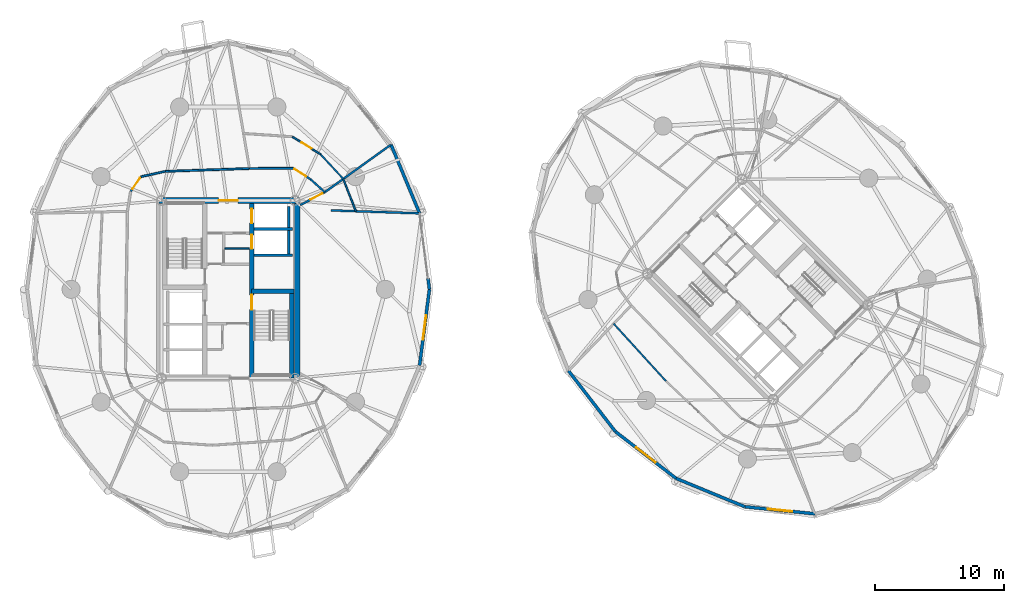
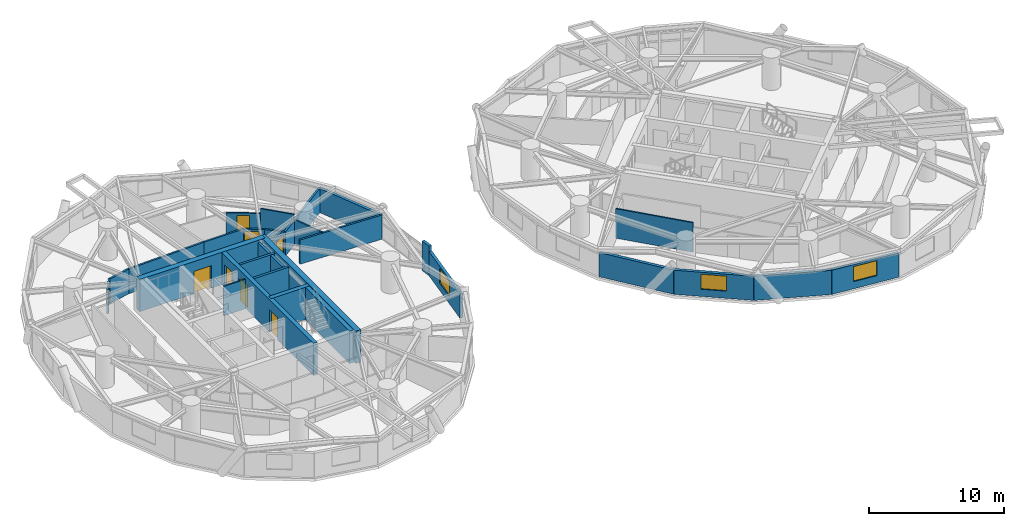
# One storey, part 11 of 17: 30 walls, 8 doors, 3 windows, 11 openings.
"""IFC4 building model written with IfcOpenShell, lengths in metres."""

from ifc_helpers import new_model, si_unit, direction, frame, frame_2d, origin, place, context, subcontext, project, spatial, rectangle, extrude, source, transform, mapped, material, layer, layer_set, type_object, element, fill, save


model = new_model("IFC4")

# Units and contexts
model_context = context("Model", 3, precision=1e-05, world=origin(), true_north=direction((0.0, 1.0)))
body_context = subcontext(model_context, "Body", "Model", "MODEL_VIEW")
ifc_project = project(units=[si_unit("LENGTHUNIT", "METRE"), si_unit("AREAUNIT", "SQUARE_METRE"), si_unit("VOLUMEUNIT", "CUBIC_METRE"), si_unit("PLANEANGLEUNIT", "RADIAN"), si_unit("MASSUNIT", "GRAM", prefix="KILO")], contexts=[model_context])

# Site, building, storey
site_placement = place(None, origin())
site = spatial("IfcSite", under=ifc_project, at=site_placement, CompositionType="ELEMENT")
building_placement = place(site_placement, origin())
building = spatial("IfcBuilding", under=site, at=building_placement, Name="Cununo Teusaquillo Station Towers", CompositionType="ELEMENT")
storey_placement = place(building_placement, frame((0.0, 0.0, 107.97998046875)))
storey = spatial("IfcBuildingStorey", under=building, at=storey_placement, Name="L34", CompositionType="ELEMENT", Elevation=107.97998046875)

# Walls
ifc_material_1 = material(Name="Concrete C50/60", Category="concrete")
ifc_layer_1 = layer(ifc_material_1, 0.199951171875)
ifc_layer_set_1 = layer_set([ifc_layer_1], Name="Concrete C50/60")
wall_type_1 = type_object("IfcWallType", Name="WL-CORE-200", PredefinedType="SHEAR", material=ifc_layer_set_1)
for number, where, z_axis, x_axis, name in (
    (1, (18.510009765625, 27.1298828125, 0.0), (0.0, 0.0, 1.0), (1.0, 0.0, 0.0), "L34 Tower A Low-Rise Lift Hoistway South Shear Wall"),
    (2, (18.510009765625, 29.175048828125, 0.0), (0.0, 0.0, 1.0), (1.0, 0.0, 0.0), "L34 Tower A Low-Rise Lift Hoistway Divider Shear Wall"),
):
    element("IfcWall", number, at=place(storey_placement, frame(where, z_axis=z_axis, x_axis=x_axis)), inside=storey, type_object=wall_type_1, Name=name, PredefinedType="SHEAR", context=body_context, shape_type="SweptSolid", body=[
        extrude(rectangle(XDim=2.969970703125, YDim=0.199951171875, at=frame_2d((1.48486328125, 0.0))), origin(), (0.0, 0.0, 1.0), 2.909912109375),
    ])
wall_1_placement = place(storey_placement, frame((21.179931640625, 27.25, 0.0), z_axis=(0.0, 0.0, 1.0), x_axis=(0.0, 1.0, 0.0)))
element("IfcWall", 3, at=wall_1_placement, inside=storey, type_object=wall_type_1, Name="L34 Tower A Low-Rise Lift 1 Shaft Rear Shear Wall", PredefinedType="SHEAR", context=body_context, shape_type="SweptSolid", body=[
    extrude(rectangle(XDim=1.804931640625, YDim=0.199951171875, at=frame_2d((0.90234375, 0.0))), origin(), (0.0, 0.0, 1.0), 2.909912109375),
])
wall_2_placement = place(storey_placement, frame((21.179931640625, 29.294921875, 0.0), z_axis=(0.0, 0.0, 1.0), x_axis=(0.0, 1.0, 0.0)))
element("IfcWall", 4, at=wall_2_placement, inside=storey, type_object=wall_type_1, Name="L34 Tower A Low-Rise Lift 2 Shaft Rear Shear Wall", PredefinedType="SHEAR", context=body_context, shape_type="SweptSolid", body=[
    extrude(rectangle(XDim=1.635009765625, YDim=0.199951171875, at=frame_2d((0.8173828125, 0.0))), origin(), (0.0, 0.0, 1.0), 2.909912109375),
])

# Wall, openings, doors
ifc_material_2 = material(Name="Concrete C50/60", Category="concrete")
ifc_layer_2 = layer(ifc_material_2, 0.35009765625)
ifc_layer_set_2 = layer_set([ifc_layer_2], Name="Concrete C50/60")
wall_type_2 = type_object("IfcWallType", Name="WL-CORE-350", PredefinedType="SHEAR", material=ifc_layer_set_2)
wall_3_placement = place(storey_placement, frame((18.31494140625, 17.625, 0.0), z_axis=(0.0, 0.0, 1.0), x_axis=(0.0, 1.0, 0.0)))
wall_3 = element("IfcWall", 5, at=wall_3_placement, inside=storey, type_object=wall_type_2, Name="L34 Tower A Core Shear Wall IE", PredefinedType="SHEAR", context=body_context, shape_type="SweptSolid", body=[
    extrude(rectangle(XDim=13.75, YDim=0.35009765625, at=frame_2d((6.875, 0.0))), origin(), (0.0, 0.0, 1.0), 2.909912109375),
])
shared_shape_1 = source(origin(), body_context, "Body", "SweptSolid", [
    extrude(rectangle(XDim=1.10009765625, YDim=2.014892578125, at=frame_2d((0.550048828125, 1.00732421875))), frame((0.0, 0.18505859375, 0.0), z_axis=(0.0, -1.0, 0.0), x_axis=(1.0, 0.0, 0.0)), (0.0, 0.0, 1.0), 0.3701171875),
])
opening_1_placement = place(wall_3_placement, frame((10.0, 0.0, 0.0)))
opening_1 = element("IfcOpeningElement", 6, at=opening_1_placement, cuts=wall_3, Name="Opening LD-01", PredefinedType="OPENING", context=body_context, shape_type="MappedRepresentation", body=[
    mapped(shared_shape_1, transform((0.0, 0.0, 0.0), x_axis=(1.0, 0.0, 0.0), y_axis=(0.0, 1.0, 0.0), z_axis=(0.0, 0.0, 1.0), scale=1.0)),
])
opening_2_placement = place(wall_3_placement, frame((12.0, 0.0, 0.0)))
opening_2 = element("IfcOpeningElement", 7, at=opening_2_placement, cuts=wall_3, Name="Opening LD-01", PredefinedType="OPENING", context=body_context, shape_type="MappedRepresentation", body=[
    mapped(shared_shape_1, transform((0.0, 0.0, 0.0), x_axis=(1.0, 0.0, 0.0), y_axis=(0.0, 1.0, 0.0), z_axis=(0.0, 0.0, 1.0), scale=1.0)),
])
shared_shape_2 = source(origin(), body_context, "Body", "SweptSolid", [
    extrude(rectangle(XDim=1.14990234375, YDim=2.02001953125, at=frame_2d((0.574951171875, 1.010009765625))), frame((0.0, 0.18505859375, 0.0), z_axis=(0.0, -1.0, 0.0), x_axis=(1.0, 0.0, 0.0)), (0.0, 0.0, 1.0), 0.3701171875),
])
opening_3_placement = place(wall_3_placement, frame((5.304931640625, 0.0, 0.0)))
opening_3 = element("IfcOpeningElement", 8, at=opening_3_placement, cuts=wall_3, Name="Opening D-ST1", PredefinedType="OPENING", context=body_context, shape_type="MappedRepresentation", body=[
    mapped(shared_shape_2, transform((0.0, 0.0, 0.0), x_axis=(1.0, 0.0, 0.0), y_axis=(0.0, 1.0, 0.0), z_axis=(0.0, 0.0, 1.0), scale=1.0)),
])
ifc_material_3 = material(Name="Galvanised fire-rated hollow steel door assembly", Category="steel")
door_type_1 = type_object("IfcDoorType", Name="DR-LIFT-1100", OperationType="SLIDING_TO_LEFT", PredefinedType="DOOR", material=ifc_material_3)
shared_shape_3 = source(origin(), body_context, "Body", "SweptSolid", [
    extrude(rectangle(XDim=1.10009765625, YDim=2.014892578125, at=frame_2d((0.550048828125, 1.00732421875))), frame((0.0, 0.02490234375, 0.0), z_axis=(0.0, -1.0, 0.0), x_axis=(1.0, 0.0, 0.0)), (0.0, 0.0, 1.0), 0.050048828125),
])
door_1_placement = place(opening_1_placement, origin())
door_1 = element("IfcDoor", 9, at=door_1_placement, inside=storey, type_object=door_type_1, Name="L34 Lift PL-T1-L1 Sliding Landing Door", OperationType="SLIDING_TO_LEFT", OverallHeight=2.014892578125, OverallWidth=1.10009765625, PredefinedType="DOOR", context=body_context, shape_type="MappedRepresentation", body=[
    mapped(shared_shape_3, transform((0.0, 0.0, 0.0), x_axis=(1.0, 0.0, 0.0), y_axis=(0.0, 1.0, 0.0), z_axis=(0.0, 0.0, 1.0), scale=1.0)),
])
fill(opening_1, door_1)
door_2_placement = place(opening_2_placement, origin())
door_2 = element("IfcDoor", 10, at=door_2_placement, inside=storey, type_object=door_type_1, Name="L34 Lift PL-T1-L2 Sliding Landing Door", OperationType="SLIDING_TO_RIGHT", OverallHeight=2.014892578125, OverallWidth=1.10009765625, PredefinedType="DOOR", context=body_context, shape_type="MappedRepresentation", body=[
    mapped(shared_shape_3, transform((0.0, 0.0, 0.0), x_axis=(1.0, 0.0, 0.0), y_axis=(0.0, 1.0, 0.0), z_axis=(0.0, 0.0, 1.0), scale=1.0)),
])
fill(opening_2, door_2)
ifc_material_4 = material(Name="Galvanised fire-rated hollow steel door assembly", Category="steel")
door_type_2 = type_object("IfcDoorType", Name="DR-STAIR-1150", OperationType="NOTDEFINED", PredefinedType="DOOR", material=ifc_material_4)
shared_shape_4 = source(origin(), body_context, "Body", "SweptSolid", [
    extrude(rectangle(XDim=1.14990234375, YDim=2.02001953125, at=frame_2d((0.574951171875, 1.010009765625))), frame((0.0, 0.02490234375, 0.0), z_axis=(0.0, -1.0, 0.0), x_axis=(1.0, 0.0, 0.0)), (0.0, 0.0, 1.0), 0.050048828125),
])
door_3_placement = place(opening_3_placement, origin())
door_3 = element("IfcDoor", 11, at=door_3_placement, inside=storey, type_object=door_type_2, Name="L34 Tower A Exit Stair 2 Fire Door", OperationType="SINGLE_SWING_LEFT", OverallHeight=2.02001953125, OverallWidth=1.14990234375, PredefinedType="DOOR", context=body_context, shape_type="MappedRepresentation", body=[
    mapped(shared_shape_4, transform((0.0, 0.0, 0.0), x_axis=(1.0, 0.0, 0.0), y_axis=(0.0, 1.0, 0.0), z_axis=(0.0, 0.0, 1.0), scale=1.0)),
])
fill(opening_3, door_3)

# Walls
wall_4_placement = place(storey_placement, frame((21.405029296875, 17.625, 0.0), z_axis=(0.0, 0.0, 1.0), x_axis=(0.0, 1.0, 0.0)))
element("IfcWall", 12, at=wall_4_placement, inside=storey, type_object=wall_type_2, Name="L34 Tower A Core Shear Wall ST2E", PredefinedType="SHEAR", context=body_context, shape_type="SweptSolid", body=[
    extrude(rectangle(XDim=6.719970703125, YDim=0.35009765625, at=frame_2d((3.35986328125, 0.0))), origin(), (0.0, 0.0, 1.0), 2.909912109375),
])
wall_5_placement = place(storey_placement, frame((18.31494140625, 24.344970703125, 0.0), z_axis=(0.0, 0.0, 1.0), x_axis=(1.0, 0.0, 0.0)))
element("IfcWall", 13, at=wall_5_placement, inside=storey, type_object=wall_type_2, Name="L34 Tower A Core Shear Wall ST2N", PredefinedType="SHEAR", context=body_context, shape_type="SweptSolid", body=[
    extrude(rectangle(XDim=3.28515625, YDim=0.35009765625, at=frame_2d((1.642578125, 0.0))), origin(), (0.0, 0.0, 1.0), 2.909912109375),
])
ifc_material_5 = material(Name="Concrete C60/75", Category="concrete")
ifc_layer_3 = layer(ifc_material_5, 0.449951171875)
ifc_layer_set_3 = layer_set([ifc_layer_3], Name="Concrete C60/75")
wall_type_3 = type_object("IfcWallType", Name="WL-CORE-450", PredefinedType="SHEAR", material=ifc_layer_set_3)
wall_6_placement = place(storey_placement, frame((21.85009765625, 17.39990234375, 0.0), z_axis=(0.0, 0.0, 1.0), x_axis=(0.0, 1.0, 0.0)))
element("IfcWall", 14, at=wall_6_placement, inside=storey, type_object=wall_type_3, Name="L34 Tower A Core Shear Wall E", PredefinedType="SHEAR", context=body_context, shape_type="SweptSolid", body=[
    extrude(rectangle(XDim=14.2001953125, YDim=0.449951171875, at=frame_2d((7.10009765625, 0.0))), origin(), (0.0, 0.0, 1.0), 2.909912109375),
])

# Wall, opening, door
wall_7_placement = place(storey_placement, frame((11.14990234375, 31.375, 0.0), z_axis=(0.0, 0.0, 1.0), x_axis=(1.0, 0.0, 0.0)))
wall_7 = element("IfcWall", 15, at=wall_7_placement, inside=storey, type_object=wall_type_3, Name="L34 Tower A Core Shear Wall N", PredefinedType="SHEAR", context=body_context, shape_type="SweptSolid", body=[
    extrude(rectangle(XDim=10.7001953125, YDim=0.449951171875, at=frame_2d((5.35009765625, 0.0))), origin(), (0.0, 0.0, 1.0), 2.909912109375),
])
shared_shape_5 = source(origin(), body_context, "Body", "SweptSolid", [
    extrude(rectangle(XDim=1.5, YDim=2.02001953125, at=frame_2d((0.75, 1.010009765625))), frame((0.0, 0.23486328125, 0.0), z_axis=(0.0, -1.0, 0.0), x_axis=(1.0, 0.0, 0.0)), (0.0, 0.0, 1.0), 0.469970703125),
])
opening_4_placement = place(wall_7_placement, frame((4.60009765625, 0.0, 0.0)))
opening_4 = element("IfcOpeningElement", 16, at=opening_4_placement, cuts=wall_7, Name="Opening D-LB1", PredefinedType="OPENING", context=body_context, shape_type="MappedRepresentation", body=[
    mapped(shared_shape_5, transform((0.0, 0.0, 0.0), x_axis=(1.0, 0.0, 0.0), y_axis=(0.0, 1.0, 0.0), z_axis=(0.0, 0.0, 1.0), scale=1.0)),
])
ifc_material_6 = material(Name="Galvanised fire-rated hollow steel door assembly", Category="steel")
door_type_3 = type_object("IfcDoorType", Name="DR-LOBBY-1500", OperationType="DOUBLE_DOOR_SINGLE_SWING", PredefinedType="DOOR", material=ifc_material_6)
shared_shape_6 = source(origin(), body_context, "Body", "SweptSolid", [
    extrude(rectangle(XDim=1.5, YDim=2.02001953125, at=frame_2d((0.75, 1.010009765625))), frame((0.0, 0.02490234375, 0.0), z_axis=(0.0, -1.0, 0.0), x_axis=(1.0, 0.0, 0.0)), (0.0, 0.0, 1.0), 0.050048828125),
])
door_4_placement = place(opening_4_placement, origin())
door_4 = element("IfcDoor", 17, at=door_4_placement, inside=storey, type_object=door_type_3, Name="L34 Tower A North Core Lift Lobby Door", OperationType="DOUBLE_DOOR_SINGLE_SWING", OverallHeight=2.02001953125, OverallWidth=1.5, PredefinedType="DOOR", context=body_context, shape_type="MappedRepresentation", body=[
    mapped(shared_shape_6, transform((0.0, 0.0, 0.0), x_axis=(1.0, 0.0, 0.0), y_axis=(0.0, 1.0, 0.0), z_axis=(0.0, 0.0, 1.0), scale=1.0)),
])
fill(opening_4, door_4)

# Walls
ifc_material_7 = material(Name="Precast concrete C40/50", Category="concrete")
ifc_layer_4 = layer(ifc_material_7, 0.239990234375)
ifc_layer_set_4 = layer_set([ifc_layer_4], Name="Precast concrete C40/50")
wall_type_4 = type_object("IfcWallType", Name="WL-EXT-240", PredefinedType="SOLIDWALL", material=ifc_layer_set_4)
wall_8_placement = place(storey_placement, frame((31.96923828125, 25.36279296875, 0.0), z_axis=(0.0, 0.0, 1.0), x_axis=(0.128523364007, -0.991706481225, 0.0)))
element("IfcWall", 18, at=wall_8_placement, inside=storey, type_object=wall_type_4, Name="L34 Tower A Column Pier Cladding Wall C00-PB", PredefinedType="SOLIDWALL", context=body_context, shape_type="SweptSolid", body=[
    extrude(rectangle(XDim=0.8701171875, YDim=0.239990234375, at=frame_2d((0.43505859375, 0.0))), origin(), (0.0, 0.0, 1.0), 2.655029296875),
])
wall_9_placement = place(storey_placement, frame((29.105224609375, 35.708984375, 0.0), z_axis=(0.0, 0.0, 1.0), x_axis=(0.384344417632, -0.923189779317, 0.0)))
element("IfcWall", 19, at=wall_9_placement, inside=storey, type_object=wall_type_4, Name="L34 Tower A Exterior Facade Wall C01", PredefinedType="SOLIDWALL", context=body_context, shape_type="SweptSolid", body=[
    extrude(rectangle(XDim=5.75830078125, YDim=0.239990234375, at=frame_2d((2.879150390625, 0.0))), origin(), (0.0, 0.0, 1.0), 2.178955078125),
])

# Wall, opening, window
wall_10_placement = place(storey_placement, frame((32.0810546875, 24.5, 0.0), z_axis=(0.0, 0.0, 1.0), x_axis=(-0.128351991996, -0.991728675672, 0.0)))
wall_10 = element("IfcWall", 20, at=wall_10_placement, inside=storey, type_object=wall_type_4, Name="L34 Tower A Exterior Facade Wall C19", PredefinedType="SOLIDWALL", context=body_context, shape_type="SweptSolid", body=[
    extrude(rectangle(XDim=5.942138671875, YDim=0.239990234375, at=frame_2d((2.97119140625, 0.0))), origin(), (0.0, 0.0, 1.0), 2.178955078125),
])
shared_shape_7 = source(origin(), body_context, "Body", "SweptSolid", [
    extrude(rectangle(XDim=1.89990234375, YDim=1.35009765625, at=frame_2d((0.949951171875, 0.675048828125))), frame((0.0, 0.1298828125, 0.0), z_axis=(0.0, -1.0, 0.0), x_axis=(1.0, 0.0, 0.0)), (0.0, 0.0, 1.0), 0.260009765625),
])
opening_5_placement = place(wall_10_placement, frame((2.02099609375, 0.0, 0.64990234375)))
opening_5 = element("IfcOpeningElement", 21, at=opening_5_placement, cuts=wall_10, Name="Opening WN-02", PredefinedType="OPENING", context=body_context, shape_type="MappedRepresentation", body=[
    mapped(shared_shape_7, transform((0.0, 0.0, 0.0), x_axis=(1.0, 0.0, 0.0), y_axis=(0.0, 1.0, 0.0), z_axis=(0.0, 0.0, 1.0), scale=1.0)),
])
ifc_material_8 = material(Name="Operable acoustic tinted low-E double glazing", Category="glass")
window_type = type_object("IfcWindowType", Name="WIN-OPER-1900", PartitioningType="DOUBLE_PANEL_VERTICAL", PredefinedType="WINDOW", material=ifc_material_8)
shared_shape_8 = source(origin(), body_context, "Body", "SweptSolid", [
    extrude(rectangle(XDim=1.89990234375, YDim=1.35009765625, at=frame_2d((0.949951171875, 0.675048828125))), frame((0.0, 0.030029296875, 0.0), z_axis=(0.0, -1.0, 0.0), x_axis=(1.0, 0.0, 0.0)), (0.0, 0.0, 1.0), 0.06005859375),
])
window_1_placement = place(opening_5_placement, origin())
window_1 = element("IfcWindow", 22, at=window_1_placement, inside=storey, type_object=window_type, Name="L34 Tower A Facade Window C19", OverallHeight=1.35009765625, OverallWidth=1.89990234375, PartitioningType="DOUBLE_PANEL_VERTICAL", PredefinedType="WINDOW", context=body_context, shape_type="MappedRepresentation", body=[
    mapped(shared_shape_8, transform((0.0, 0.0, 0.0), x_axis=(1.0, 0.0, 0.0), y_axis=(0.0, 1.0, 0.0), z_axis=(0.0, 0.0, 1.0), scale=1.0)),
])
fill(opening_5, window_1)

# Wall
wall_11_placement = place(storey_placement, frame((46.482666015625, 13.482666015625, 0.0), z_axis=(0.0, 0.0, 1.0), x_axis=(-0.61054437102, 0.791982052206, 0.0)))
element("IfcWall", 23, at=wall_11_placement, inside=storey, type_object=wall_type_4, Name="L34 Tower B Exterior Facade Wall C09", PredefinedType="SOLIDWALL", context=body_context, shape_type="SweptSolid", body=[
    extrude(rectangle(XDim=5.942138671875, YDim=0.239990234375, at=frame_2d((2.97119140625, 0.0))), origin(), (0.0, 0.0, 1.0), 2.178955078125),
])

# Wall, opening, window
wall_12_placement = place(storey_placement, frame((51.188720703125, 9.854736328125, 0.0), z_axis=(0.0, 0.0, 1.0), x_axis=(-0.791982052206, 0.61054437102, 0.0)))
wall_12 = element("IfcWall", 24, at=wall_12_placement, inside=storey, type_object=wall_type_4, Name="L34 Tower B Exterior Facade Wall C10", PredefinedType="SOLIDWALL", context=body_context, shape_type="SweptSolid", body=[
    extrude(rectangle(XDim=5.942138671875, YDim=0.239990234375, at=frame_2d((2.97119140625, 0.0))), origin(), (0.0, 0.0, 1.0), 2.178955078125),
])
opening_6_placement = place(wall_12_placement, frame((2.02099609375, 0.0, 0.64990234375)))
opening_6 = element("IfcOpeningElement", 25, at=opening_6_placement, cuts=wall_12, Name="Opening WN-02", PredefinedType="OPENING", context=body_context, shape_type="MappedRepresentation", body=[
    mapped(shared_shape_7, transform((0.0, 0.0, 0.0), x_axis=(1.0, 0.0, 0.0), y_axis=(0.0, 1.0, 0.0), z_axis=(0.0, 0.0, 1.0), scale=1.0)),
])
window_2_placement = place(opening_6_placement, origin())
window_2 = element("IfcWindow", 26, at=window_2_placement, inside=storey, type_object=window_type, Name="L34 Tower B Facade Window C10", OverallHeight=1.35009765625, OverallWidth=1.89990234375, PartitioningType="DOUBLE_PANEL_VERTICAL", PredefinedType="WINDOW", context=body_context, shape_type="MappedRepresentation", body=[
    mapped(shared_shape_8, transform((0.0, 0.0, 0.0), x_axis=(1.0, 0.0, 0.0), y_axis=(0.0, 1.0, 0.0), z_axis=(0.0, 0.0, 1.0), scale=1.0)),
])
fill(opening_6, window_2)

# Wall
wall_13_placement = place(storey_placement, frame((56.5126953125, 7.66064453125, 0.0), z_axis=(0.0, 0.0, 1.0), x_axis=(-0.924563909604, 0.381027003055, 0.0)))
element("IfcWall", 27, at=wall_13_placement, inside=storey, type_object=wall_type_4, Name="L34 Tower B Exterior Facade Wall C11", PredefinedType="SOLIDWALL", context=body_context, shape_type="SweptSolid", body=[
    extrude(rectangle(XDim=5.75830078125, YDim=0.239990234375, at=frame_2d((2.879150390625, 0.0))), origin(), (0.0, 0.0, 1.0), 2.178955078125),
])

# Wall, opening, window
wall_14_placement = place(storey_placement, frame((61.933349609375, 7.114990234375, 0.0), z_axis=(0.0, 0.0, 1.0), x_axis=(-0.994971754311, 0.10015591906, 0.0)))
wall_14 = element("IfcWall", 28, at=wall_14_placement, inside=storey, type_object=wall_type_4, Name="L34 Tower B Exterior Facade Wall C12", PredefinedType="SOLIDWALL", context=body_context, shape_type="SweptSolid", body=[
    extrude(rectangle(XDim=5.447998046875, YDim=0.239990234375, at=frame_2d((2.72412109375, 0.0))), origin(), (0.0, 0.0, 1.0), 2.178955078125),
])
opening_7_placement = place(wall_14_placement, frame((1.77392578125, 0.0, 0.64990234375)))
opening_7 = element("IfcOpeningElement", 29, at=opening_7_placement, cuts=wall_14, Name="Opening WN-02", PredefinedType="OPENING", context=body_context, shape_type="MappedRepresentation", body=[
    mapped(shared_shape_7, transform((0.0, 0.0, 0.0), x_axis=(1.0, 0.0, 0.0), y_axis=(0.0, 1.0, 0.0), z_axis=(0.0, 0.0, 1.0), scale=1.0)),
])
window_3_placement = place(opening_7_placement, origin())
window_3 = element("IfcWindow", 30, at=window_3_placement, inside=storey, type_object=window_type, Name="L34 Tower B Facade Window C12", OverallHeight=1.35009765625, OverallWidth=1.89990234375, PartitioningType="DOUBLE_PANEL_VERTICAL", PredefinedType="WINDOW", context=body_context, shape_type="MappedRepresentation", body=[
    mapped(shared_shape_8, transform((0.0, 0.0, 0.0), x_axis=(1.0, 0.0, 0.0), y_axis=(0.0, 1.0, 0.0), z_axis=(0.0, 0.0, 1.0), scale=1.0)),
])
fill(opening_7, window_3)

# Walls
ifc_material_9 = material(Name="Fire-rated gypsum plasterboard partition assembly", Category="gypsum")
ifc_layer_5 = layer(ifc_material_9, 0.125)
ifc_layer_set_5 = layer_set([ifc_layer_5], Name="Fire-rated gypsum plasterboard partition assembly")
wall_type_5 = type_object("IfcWallType", Name="WL-PART-125", PredefinedType="PARTITIONING", material=ifc_layer_set_5)
wall_15_placement = place(storey_placement, frame((16.239990234375, 27.64990234375, 0.0), z_axis=(0.0, 0.0, 1.0), x_axis=(1.0, 0.0, 0.0)))
element("IfcWall", 31, at=wall_15_placement, inside=storey, type_object=wall_type_5, Name="L34 Tower A Core Horizontal Split Wall", PredefinedType="PARTITIONING", context=body_context, shape_type="SweptSolid", body=[
    extrude(rectangle(XDim=1.880126953125, YDim=0.125, at=frame_2d((0.93994140625, 0.0))), origin(), (0.0, 0.0, 1.0), 2.655029296875),
])
wall_16_placement = place(storey_placement, frame((26.381591796875, 30.550537109375, 0.0), z_axis=(0.0, 0.0, 1.0), x_axis=(-0.361621391028, 0.932325034283, 0.0)))
element("IfcWall", 32, at=wall_16_placement, inside=storey, type_object=wall_type_5, Name="L34 Tower A Consular Reception Salon Concentric Partition Wall C01", PredefinedType="PARTITIONING", context=body_context, shape_type="SweptSolid", body=[
    extrude(rectangle(XDim=2.685546875, YDim=0.125, at=frame_2d((1.3427734375, 0.0))), origin(), (0.0, 0.0, 1.0), 2.22509765625),
])
wall_17_placement = place(storey_placement, frame((25.410400390625, 33.054443359375, 0.0), z_axis=(0.0, 0.0, 1.0), x_axis=(-0.679733694606, 0.73345899982, 0.0)))
element("IfcWall", 33, at=wall_17_placement, inside=storey, type_object=wall_type_5, Name="L34 Tower A Consular Reception Salon Concentric Partition Wall C02", PredefinedType="PARTITIONING", context=body_context, shape_type="SweptSolid", body=[
    extrude(rectangle(XDim=2.585693359375, YDim=0.125, at=frame_2d((1.29296875, 0.0))), origin(), (0.0, 0.0, 1.0), 2.655029296875),
])

# Wall, opening, door
wall_18_placement = place(storey_placement, frame((23.65283203125, 34.950927734375, 0.0), z_axis=(0.0, 0.0, 1.0), x_axis=(-0.847306782665, 0.531103771452, 0.0)))
wall_18 = element("IfcWall", 34, at=wall_18_placement, inside=storey, type_object=wall_type_5, Name="L34 Tower A Consular Reception Salon Concentric Partition Wall C03", PredefinedType="PARTITIONING", context=body_context, shape_type="SweptSolid", body=[
    extrude(rectangle(XDim=2.5810546875, YDim=0.125, at=frame_2d((1.29052734375, 0.0))), origin(), (0.0, 0.0, 1.0), 2.22509765625),
])
shared_shape_9 = source(origin(), body_context, "Body", "SweptSolid", [
    extrude(rectangle(XDim=0.89990234375, YDim=2.0048828125, at=frame_2d((0.449951171875, 1.00244140625))), frame((0.0, 0.072509765625, 0.0), z_axis=(0.0, -1.0, 0.0), x_axis=(1.0, 0.0, 0.0)), (0.0, 0.0, 1.0), 0.14501953125),
])
opening_8_placement = place(wall_18_placement, frame((0.840576171875, 0.0, 0.0)))
opening_8 = element("IfcOpeningElement", 35, at=opening_8_placement, cuts=wall_18, Name="Opening D-IN1", PredefinedType="OPENING", context=body_context, shape_type="MappedRepresentation", body=[
    mapped(shared_shape_9, transform((0.0, 0.0, 0.0), x_axis=(1.0, 0.0, 0.0), y_axis=(0.0, 1.0, 0.0), z_axis=(0.0, 0.0, 1.0), scale=1.0)),
])
ifc_material_10 = material(Name="Acoustic solid-core hardwood leaf assembly", Category="wood")
door_type_4 = type_object("IfcDoorType", Name="DR-INT-900", OperationType="NOTDEFINED", PredefinedType="DOOR", material=ifc_material_10)
shared_shape_10 = source(origin(), body_context, "Body", "SweptSolid", [
    extrude(rectangle(XDim=0.89990234375, YDim=2.0048828125, at=frame_2d((0.449951171875, 1.00244140625))), frame((0.0, 0.02490234375, 0.0), z_axis=(0.0, -1.0, 0.0), x_axis=(1.0, 0.0, 0.0)), (0.0, 0.0, 1.0), 0.050048828125),
])
door_5_placement = place(opening_8_placement, origin())
door_5 = element("IfcDoor", 36, at=door_5_placement, inside=storey, type_object=door_type_4, Name="L34 Tower A Consular Reception Salon Connecting Door", OperationType="SINGLE_SWING_RIGHT", OverallHeight=2.0048828125, OverallWidth=0.89990234375, PredefinedType="DOOR", context=body_context, shape_type="MappedRepresentation", body=[
    mapped(shared_shape_10, transform((0.0, 0.0, 0.0), x_axis=(1.0, 0.0, 0.0), y_axis=(0.0, 1.0, 0.0), z_axis=(0.0, 0.0, 1.0), scale=1.0)),
])
fill(opening_8, door_5)

# Walls
wall_19_placement = place(storey_placement, frame((46.352294921875, 21.837646484375, 0.0), z_axis=(0.0, 0.0, 1.0), x_axis=(0.673416949194, -0.739262884594, 0.0)))
element("IfcWall", 37, at=wall_19_placement, inside=storey, type_object=wall_type_5, Name="L34 Tower B Ambassadorial Executive Office Concentric Partition Wall C09", PredefinedType="PARTITIONING", context=body_context, shape_type="SweptSolid", body=[
    extrude(rectangle(XDim=6.006591796875, YDim=0.125, at=frame_2d((3.00341796875, 0.0))), origin(), (0.0, 0.0, 1.0), 2.655029296875),
])
ifc_material_11 = material(Name="Fire-rated gypsum plasterboard partition assembly", Category="gypsum")
ifc_layer_6 = layer(ifc_material_11, 0.14990234375)
ifc_layer_set_6 = layer_set([ifc_layer_6], Name="Fire-rated gypsum plasterboard partition assembly")
wall_type_6 = type_object("IfcWallType", Name="WL-PART-150", PredefinedType="PARTITIONING", material=ifc_layer_set_6)
wall_20_placement = place(storey_placement, frame((23.979736328125, 32.02685546875, 0.0), z_axis=(0.0, 0.0, 1.0), x_axis=(-0.742353224332, 0.670008724065, 0.0)))
element("IfcWall", 38, at=wall_20_placement, inside=storey, type_object=wall_type_6, Name="L34 Tower A Corridor Ring Wall C02", PredefinedType="PARTITIONING", context=body_context, shape_type="SweptSolid", body=[
    extrude(rectangle(XDim=1.48486328125, YDim=0.14990234375, at=frame_2d((0.742431640625, 0.0))), origin(), (0.0, 0.0, 1.0), 2.22509765625),
])

# Wall, opening, door
wall_21_placement = place(storey_placement, frame((22.87744140625, 33.021728515625, 0.0), z_axis=(0.0, 0.0, 1.0), x_axis=(-0.845895608855, 0.533348496689, 0.0)))
wall_21 = element("IfcWall", 39, at=wall_21_placement, inside=storey, type_object=wall_type_6, Name="L34 Tower A Corridor Ring Wall C03", PredefinedType="PARTITIONING", context=body_context, shape_type="SweptSolid", body=[
    extrude(rectangle(XDim=1.5966796875, YDim=0.14990234375, at=frame_2d((0.79833984375, 0.0))), origin(), (0.0, 0.0, 1.0), 2.22509765625),
])
shared_shape_11 = source(origin(), body_context, "Body", "SweptSolid", [
    extrude(rectangle(XDim=1.050048828125, YDim=2.014892578125, at=frame_2d((0.52490234375, 1.00732421875))), frame((0.0, 0.0849609375, 0.0), z_axis=(0.0, -1.0, 0.0), x_axis=(1.0, 0.0, 0.0)), (0.0, 0.0, 1.0), 0.169921875),
])
opening_9_placement = place(wall_21_placement, frame((0.4267578125, 0.0, 0.0)))
opening_9 = element("IfcOpeningElement", 40, at=opening_9_placement, cuts=wall_21, Name="Opening D-SU1", PredefinedType="OPENING", context=body_context, shape_type="MappedRepresentation", body=[
    mapped(shared_shape_11, transform((0.0, 0.0, 0.0), x_axis=(1.0, 0.0, 0.0), y_axis=(0.0, 1.0, 0.0), z_axis=(0.0, 0.0, 1.0), scale=1.0)),
])
ifc_material_12 = material(Name="Acoustic solid-core hardwood leaf assembly", Category="wood")
door_type_5 = type_object("IfcDoorType", Name="DR-SUITE-1050", OperationType="NOTDEFINED", PredefinedType="DOOR", material=ifc_material_12)
shared_shape_12 = source(origin(), body_context, "Body", "SweptSolid", [
    extrude(rectangle(XDim=1.050048828125, YDim=2.014892578125, at=frame_2d((0.52490234375, 1.00732421875))), frame((0.0, 0.02490234375, 0.0), z_axis=(0.0, -1.0, 0.0), x_axis=(1.0, 0.0, 0.0)), (0.0, 0.0, 1.0), 0.050048828125),
])
door_6_placement = place(opening_9_placement, origin())
door_6 = element("IfcDoor", 41, at=door_6_placement, inside=storey, type_object=door_type_5, Name="L34 Tower A Consular Reception Salon Entrance Door", OperationType="SINGLE_SWING_LEFT", OverallHeight=2.014892578125, OverallWidth=1.050048828125, PredefinedType="DOOR", context=body_context, shape_type="MappedRepresentation", body=[
    mapped(shared_shape_12, transform((0.0, 0.0, 0.0), x_axis=(1.0, 0.0, 0.0), y_axis=(0.0, 1.0, 0.0), z_axis=(0.0, 0.0, 1.0), scale=1.0)),
])
fill(opening_9, door_6)

# Walls
wall_22_placement = place(storey_placement, frame((21.52685546875, 33.873291015625, 0.0), z_axis=(0.0, 0.0, 1.0), x_axis=(-0.999991838845, -0.004040079574, 0.0)))
element("IfcWall", 42, at=wall_22_placement, inside=storey, type_object=wall_type_6, Name="L34 Tower A Corridor Ring Wall C04", PredefinedType="PARTITIONING", context=body_context, shape_type="SweptSolid", body=[
    extrude(rectangle(XDim=3.384033203125, YDim=0.14990234375, at=frame_2d((1.69189453125, 0.0))), origin(), (0.0, 0.0, 1.0), 2.22509765625),
])
wall_23_placement = place(storey_placement, frame((18.142822265625, 33.859619140625, 0.0), z_axis=(0.0, 0.0, 1.0), x_axis=(-0.999419208319, -0.034077060363, 0.0)))
element("IfcWall", 43, at=wall_23_placement, inside=storey, type_object=wall_type_6, Name="L34 Tower A Corridor Ring Wall C05", PredefinedType="PARTITIONING", context=body_context, shape_type="SweptSolid", body=[
    extrude(rectangle(XDim=6.52685546875, YDim=0.14990234375, at=frame_2d((3.263427734375, 0.0))), origin(), (0.0, 0.0, 1.0), 2.22509765625),
])
wall_24_placement = place(storey_placement, frame((11.619873046875, 33.63720703125, 0.0), z_axis=(0.0, 0.0, 1.0), x_axis=(-0.97702579435, -0.213121085711, 0.0)))
element("IfcWall", 44, at=wall_24_placement, inside=storey, type_object=wall_type_6, Name="L34 Tower A Corridor Ring Wall C06", PredefinedType="PARTITIONING", context=body_context, shape_type="SweptSolid", body=[
    extrude(rectangle(XDim=1.934814453125, YDim=0.14990234375, at=frame_2d((0.96728515625, 0.0))), origin(), (0.0, 0.0, 1.0), 2.22509765625),
])

# Wall, opening, door
wall_25_placement = place(storey_placement, frame((9.7294921875, 33.224853515625, 0.0), z_axis=(0.0, 0.0, 1.0), x_axis=(-0.567183649484, -0.82359134755, 0.0)))
wall_25 = element("IfcWall", 45, at=wall_25_placement, inside=storey, type_object=wall_type_6, Name="L34 Tower A Corridor Ring Wall C07", PredefinedType="PARTITIONING", context=body_context, shape_type="SweptSolid", body=[
    extrude(rectangle(XDim=1.39208984375, YDim=0.14990234375, at=frame_2d((0.696044921875, 0.0))), origin(), (0.0, 0.0, 1.0), 2.22509765625),
])
opening_10_placement = place(wall_25_placement, frame((0.1201171875, 0.0, 0.0)))
opening_10 = element("IfcOpeningElement", 46, at=opening_10_placement, cuts=wall_25, Name="Opening D-SU1", PredefinedType="OPENING", context=body_context, shape_type="MappedRepresentation", body=[
    mapped(shared_shape_11, transform((0.0, 0.0, 0.0), x_axis=(1.0, 0.0, 0.0), y_axis=(0.0, 1.0, 0.0), z_axis=(0.0, 0.0, 1.0), scale=1.0)),
])
door_7_placement = place(opening_10_placement, origin())
door_7 = element("IfcDoor", 47, at=door_7_placement, inside=storey, type_object=door_type_5, Name="L34 Tower A Bilateral Treaty Conference Room Entrance Door", OperationType="SINGLE_SWING_LEFT", OverallHeight=2.014892578125, OverallWidth=1.050048828125, PredefinedType="DOOR", context=body_context, shape_type="MappedRepresentation", body=[
    mapped(shared_shape_12, transform((0.0, 0.0, 0.0), x_axis=(1.0, 0.0, 0.0), y_axis=(0.0, 1.0, 0.0), z_axis=(0.0, 0.0, 1.0), scale=1.0)),
])
fill(opening_10, door_7)

# Walls
ifc_material_13 = material(Name="Fire-rated gypsum plasterboard partition assembly", Category="gypsum")
ifc_layer_7 = layer(ifc_material_13, 0.159912109375)
ifc_layer_set_7 = layer_set([ifc_layer_7], Name="Fire-rated gypsum plasterboard partition assembly")
wall_type_7 = type_object("IfcWallType", Name="WL-PART-160", PredefinedType="PARTITIONING", material=ifc_layer_set_7)
wall_26_placement = place(storey_placement, frame((24.468994140625, 30.614013671875, 0.0), z_axis=(0.0, 0.0, 1.0), x_axis=(0.999446768925, -0.033258924898, 0.0)))
element("IfcWall", 48, at=wall_26_placement, inside=storey, type_object=wall_type_7, Name="L34 Tower A Radial Suite Partition R01", PredefinedType="PARTITIONING", context=body_context, shape_type="SweptSolid", body=[
    extrude(rectangle(XDim=6.833984375, YDim=0.159912109375, at=frame_2d((3.4169921875, 0.0))), origin(), (0.0, 0.0, 1.0), 2.178955078125),
])
wall_27_placement = place(storey_placement, frame((23.979736328125, 32.02685546875, 0.0), z_axis=(0.0, 0.0, 1.0), x_axis=(0.812162479031, 0.58343132214, 0.0)))
element("IfcWall", 49, at=wall_27_placement, inside=storey, type_object=wall_type_7, Name="L34 Tower A Radial Suite Partition R02", PredefinedType="PARTITIONING", context=body_context, shape_type="SweptSolid", body=[
    extrude(rectangle(XDim=6.291015625, YDim=0.159912109375, at=frame_2d((3.1455078125, 0.0))), origin(), (0.0, 0.0, 1.0), 2.178955078125),
])

# Wall, opening, door
wall_28_placement = place(storey_placement, frame((22.074951171875, 31.02490234375, 0.0), z_axis=(0.0, 0.0, 1.0), x_axis=(0.885026466958, 0.465540710125, 0.0)))
wall_28 = element("IfcWall", 50, at=wall_28_placement, inside=storey, type_object=wall_type_7, Name="L34 Tower A East Salon Corridor Portal Wall NE", PredefinedType="PARTITIONING", context=body_context, shape_type="SweptSolid", body=[
    extrude(rectangle(XDim=2.15234375, YDim=0.159912109375, at=frame_2d((1.076171875, 0.0))), origin(), (0.0, 0.0, 1.0), 2.22509765625),
])
shared_shape_13 = source(origin(), body_context, "Body", "SweptSolid", [
    extrude(rectangle(XDim=1.050048828125, YDim=2.014892578125, at=frame_2d((0.52490234375, 1.00732421875))), frame((0.0, 0.08984375, 0.0), z_axis=(0.0, -1.0, 0.0), x_axis=(1.0, 0.0, 0.0)), (0.0, 0.0, 1.0), 0.179931640625),
])
opening_11_placement = place(wall_28_placement, frame((0.902099609375, 0.0, 0.0)))
opening_11 = element("IfcOpeningElement", 51, at=opening_11_placement, cuts=wall_28, Name="Opening D-SU1", PredefinedType="OPENING", context=body_context, shape_type="MappedRepresentation", body=[
    mapped(shared_shape_13, transform((0.0, 0.0, 0.0), x_axis=(1.0, 0.0, 0.0), y_axis=(0.0, 1.0, 0.0), z_axis=(0.0, 0.0, 1.0), scale=1.0)),
])
door_8_placement = place(opening_11_placement, origin())
door_8 = element("IfcDoor", 52, at=door_8_placement, inside=storey, type_object=door_type_5, Name="L34 Tower A East Panorama Sky Salon Door NE", OperationType="SINGLE_SWING_LEFT", OverallHeight=2.014892578125, OverallWidth=1.050048828125, PredefinedType="DOOR", context=body_context, shape_type="MappedRepresentation", body=[
    mapped(shared_shape_12, transform((0.0, 0.0, 0.0), x_axis=(1.0, 0.0, 0.0), y_axis=(0.0, 1.0, 0.0), z_axis=(0.0, 0.0, 1.0), scale=1.0)),
])
fill(opening_11, door_8)

save(model, "model.ifc")
